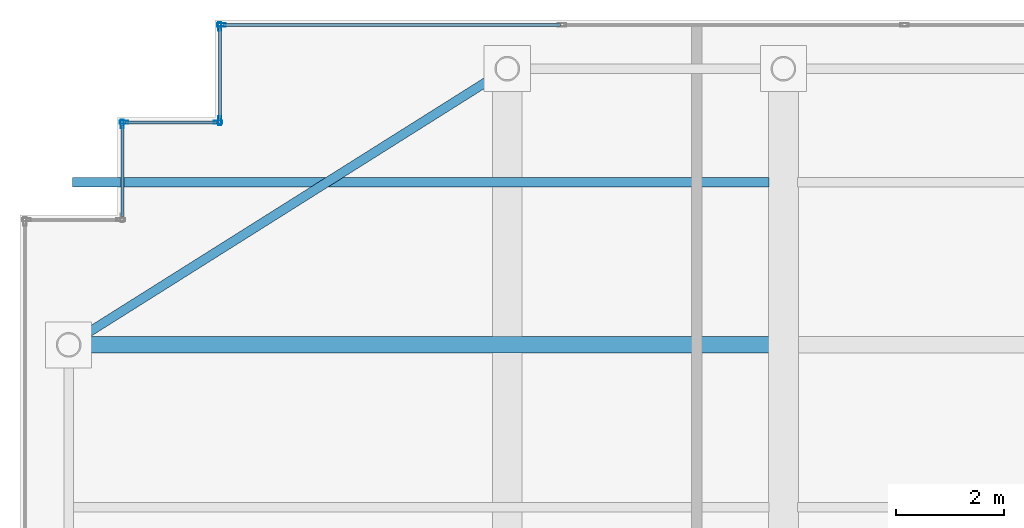
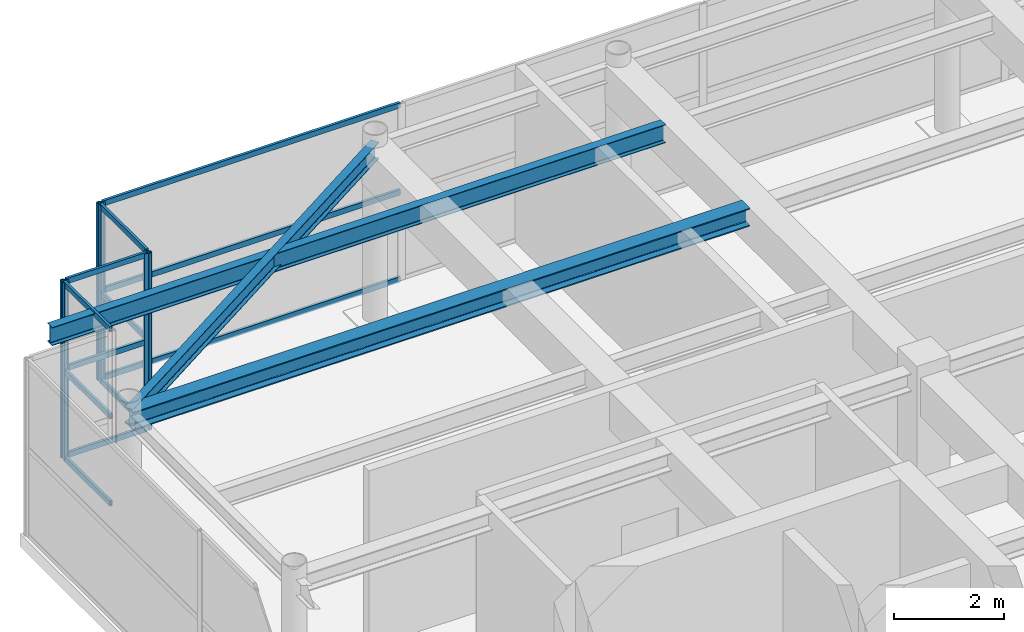
# One storey, part 21 of 32: 18 members, 3 beams, 4 elements without a shape of their own.
"""IFC4 building model written with IfcOpenShell, lengths in metres."""

from ifc_helpers import new_model, si_unit, direction, frame, origin, origin_2d, place, context, subcontext, project, spatial, hollow_rectangle, i_section, extrude, source, transform, mapped, material, layer, layer_set, material_profile, profile_set, type_object, element, aggregate, save


model = new_model("IFC4")

# Units and contexts
model_context = context("Model", 3, precision=1e-05, world=origin(), true_north=direction((0.0, 1.0)))
body_context = subcontext(model_context, "Body", "Model", "MODEL_VIEW")
ifc_project = project(units=[si_unit("LENGTHUNIT", "METRE"), si_unit("AREAUNIT", "SQUARE_METRE"), si_unit("VOLUMEUNIT", "CUBIC_METRE"), si_unit("PLANEANGLEUNIT", "RADIAN"), si_unit("MASSUNIT", "GRAM", prefix="KILO")], contexts=[model_context])

# Site, building, storey
site_placement = place(None, origin())
site = spatial("IfcSite", under=ifc_project, at=site_placement, CompositionType="ELEMENT")
building_placement = place(site_placement, origin())
building = spatial("IfcBuilding", under=site, at=building_placement, Name="Khoralis Quay Care Tower", CompositionType="ELEMENT")
storey_placement = place(building_placement, frame((0.0, 0.0, 293.699951171875)))
storey = spatial("IfcBuildingStorey", under=building, at=storey_placement, Name="L77", CompositionType="ELEMENT", Elevation=293.699951171875)

# Beams
ifc_material_1 = material(Name="Steel S355", Category="steel")
ifc_material_profile_1 = material_profile(ifc_material_1, i_section(OverallWidth=0.169921875, OverallDepth=0.360107421875, WebThickness=0.008056640625, FlangeThickness=0.0126953125, FilletRadius=0.01806640625, at=origin_2d()), Name="Steel S355")
ifc_profile_set_1 = profile_set([ifc_material_profile_1], Name="Steel S355")
beam_type_1 = type_object("IfcBeamType", Name="BM-IPE360", PredefinedType="SPANDREL", material=ifc_profile_set_1)
shared_shape_1 = source(origin(), body_context, "Body", "SweptSolid", [
    extrude(i_section(OverallWidth=0.169921875, OverallDepth=0.360107421875, WebThickness=0.008056640625, FlangeThickness=0.0126953125, FilletRadius=0.01806640625, at=origin_2d()), origin(), (0.0, 0.0, 1.0), 9.572021484375),
])
beam_1_placement = place(storey_placement, frame((12.0, 41.10009765625, 3.739990234375), z_axis=(-0.846231136359, -0.532815975602, 0.0), x_axis=(0.532815975602, -0.846231136359, 0.0)))
element("IfcBeam", 1, at=beam_1_placement, inside=storey, type_object=beam_type_1, Name="BM-TCR-L77-19", PredefinedType="SPANDREL", context=body_context, shape_type="MappedRepresentation", body=[
    mapped(shared_shape_1, transform((0.0, 0.0, 0.0), scale=1.0)),
])
ifc_material_profile_2 = material_profile(ifc_material_1, i_section(OverallWidth=0.300048828125, OverallDepth=0.39990234375, WebThickness=0.013427734375, FlangeThickness=0.02392578125, FilletRadius=0.027099609375, at=origin_2d()), Name="Steel S355")
ifc_profile_set_2 = profile_set([ifc_material_profile_2], Name="Steel S355")
beam_type_2 = type_object("IfcBeamType", Name="BM-HEB400", PredefinedType="BEAM", material=ifc_profile_set_2)
shared_shape_2 = source(origin(), body_context, "Body", "SweptSolid", [
    extrude(i_section(OverallWidth=0.300048828125, OverallDepth=0.39990234375, WebThickness=0.013427734375, FlangeThickness=0.02392578125, FilletRadius=0.027099609375, at=origin_2d()), origin(), (0.0, 0.0, 1.0), 12.93701171875),
])
beam_2_placement = place(storey_placement, frame((3.89990234375, 36.0, 3.719970703125), z_axis=(1.0, 0.0, 0.0), x_axis=(0.0, 1.0, 0.0)))
element("IfcBeam", 2, at=beam_2_placement, inside=storey, type_object=beam_type_2, Name="BM-TGXW-L77-360", PredefinedType="BEAM", context=body_context, shape_type="MappedRepresentation", body=[
    mapped(shared_shape_2, transform((0.0, 0.0, 0.0), scale=1.0)),
])
ifc_material_profile_3 = material_profile(ifc_material_1, i_section(OverallWidth=0.177978515625, OverallDepth=0.406982421875, WebThickness=0.0078125, FlangeThickness=0.0126953125, FilletRadius=0.012939453125, at=origin_2d()), Name="Steel S355")
ifc_profile_set_3 = profile_set([ifc_material_profile_3], Name="Steel S355")
beam_type_3 = type_object("IfcBeamType", Name="BM-W410X60", PredefinedType="JOIST", material=ifc_profile_set_3)
shared_shape_3 = source(origin(), body_context, "Body", "SweptSolid", [
    extrude(i_section(OverallWidth=0.177978515625, OverallDepth=0.406982421875, WebThickness=0.0078125, FlangeThickness=0.0126953125, FilletRadius=0.012939453125, at=origin_2d()), origin(), (0.0, 0.0, 1.0), 12.865966796875),
])
beam_3_placement = place(storey_placement, frame((3.970947265625, 39.0, 3.716552734375), z_axis=(1.0, 0.0, 0.0), x_axis=(0.0, 1.0, 0.0)))
element("IfcBeam", 3, at=beam_3_placement, inside=storey, type_object=beam_type_3, Name="BM-TJS-L77-27", PredefinedType="JOIST", context=body_context, shape_type="MappedRepresentation", body=[
    mapped(shared_shape_3, transform((0.0, 0.0, 0.0), scale=1.0)),
])

# Curtain wall, member
ifc_material_2 = material(Name="Pale anodised aluminium", Category="aluminium")
ifc_layer = layer(ifc_material_2, 0.199951171875)
ifc_layer_set = layer_set([ifc_layer], Name="Pale anodised aluminium")
curtain_wall_type = type_object("IfcCurtainWallType", Name="CW-SYS-LANTERN", PredefinedType="NOTDEFINED", material=ifc_layer_set)
curtain_wall_1_placement = place(storey_placement, origin())
curtain_wall_1 = element("IfcCurtainWall", 4, at=curtain_wall_1_placement, inside=storey, type_object=curtain_wall_type, Name="L77 Unitised Curtain Wall CW-LN-L77-11", PredefinedType="NOTDEFINED")
ifc_material_profile_4 = material_profile(ifc_material_2, hollow_rectangle(XDim=0.06005859375, YDim=0.159912109375, WallThickness=0.00390625, at=origin_2d()), Name="Pale anodised aluminium")
ifc_profile_set_4 = profile_set([ifc_material_profile_4], Name="Pale anodised aluminium")
member_type_1 = type_object("IfcMemberType", Name="CW-MUL-160", PredefinedType="MULLION", material=ifc_profile_set_4)
shared_shape_4 = source(origin(), body_context, "Body", "SweptSolid", [
    extrude(hollow_rectangle(XDim=0.06005859375, YDim=0.159912109375, WallThickness=0.00390625, at=origin_2d()), origin(), (0.0, 0.0, 1.0), 3.920166015625),
])
member_1_placement = place(storey_placement, frame((6.719970703125, 41.909912109375, 0.0), z_axis=(0.0, 0.0, 1.0), x_axis=(0.0, -1.0, 0.0)))
member_1 = element("IfcMember", 5, at=member_1_placement, type_object=member_type_1, Name="CW5 mullion 6", PredefinedType="MULLION", context=body_context, shape_type="MappedRepresentation", body=[
    mapped(shared_shape_4, transform((0.0, 0.0, 0.0), scale=1.0)),
])

# Curtain wall, members
curtain_wall_2_placement = place(storey_placement, origin())
curtain_wall_2 = element("IfcCurtainWall", 6, at=curtain_wall_2_placement, inside=storey, type_object=curtain_wall_type, Name="L77 Unitised Curtain Wall CW-LN-L77-12", PredefinedType="NOTDEFINED")
member_2_placement = place(storey_placement, frame((6.68994140625, 41.8798828125, 0.0), z_axis=(0.0, 0.0, 1.0), x_axis=(1.0, 0.0, 0.0)))
member_2 = element("IfcMember", 7, at=member_2_placement, type_object=member_type_1, Name="CW5 mullion 1", PredefinedType="MULLION", context=body_context, shape_type="MappedRepresentation", body=[
    mapped(shared_shape_4, transform((0.0, 0.0, 0.0), scale=1.0)),
])
member_3_placement = place(storey_placement, frame((6.68994140625, 40.139892578125, 0.0), z_axis=(0.0, 0.0, 1.0), x_axis=(1.0, 0.0, 0.0)))
member_3 = element("IfcMember", 8, at=member_3_placement, type_object=member_type_1, Name="CW5 mullion 2", PredefinedType="MULLION", context=body_context, shape_type="MappedRepresentation", body=[
    mapped(shared_shape_4, transform((0.0, 0.0, 0.0), scale=1.0)),
])

curtain_wall_3_placement = place(storey_placement, origin())
curtain_wall_3 = element("IfcCurtainWall", 9, at=curtain_wall_3_placement, inside=storey, type_object=curtain_wall_type, Name="L77 Unitised Curtain Wall CW-LN-L77-13", PredefinedType="NOTDEFINED")
member_4_placement = place(storey_placement, frame((6.659912109375, 40.110107421875, 0.0), z_axis=(0.0, 0.0, 1.0), x_axis=(0.0, -1.0, 0.0)))
member_4 = element("IfcMember", 10, at=member_4_placement, type_object=member_type_1, Name="CW5 mullion 1", PredefinedType="MULLION", context=body_context, shape_type="MappedRepresentation", body=[
    mapped(shared_shape_4, transform((0.0, 0.0, 0.0), scale=1.0)),
])
member_5_placement = place(storey_placement, frame((4.919921875, 40.110107421875, 0.0), z_axis=(0.0, 0.0, 1.0), x_axis=(0.0, -1.0, 0.0)))
member_5 = element("IfcMember", 11, at=member_5_placement, type_object=member_type_1, Name="CW5 mullion 2", PredefinedType="MULLION", context=body_context, shape_type="MappedRepresentation", body=[
    mapped(shared_shape_4, transform((0.0, 0.0, 0.0), scale=1.0)),
])

# Curtain wall, member
curtain_wall_4_placement = place(storey_placement, origin())
curtain_wall_4 = element("IfcCurtainWall", 12, at=curtain_wall_4_placement, inside=storey, type_object=curtain_wall_type, Name="L77 Unitised Curtain Wall CW-LN-L77-14", PredefinedType="NOTDEFINED")
member_6_placement = place(storey_placement, frame((4.889892578125, 40.080078125, 0.0), z_axis=(0.0, 0.0, 1.0), x_axis=(1.0, 0.0, 0.0)))
member_6 = element("IfcMember", 13, at=member_6_placement, type_object=member_type_1, Name="CW5 mullion 1", PredefinedType="MULLION", context=body_context, shape_type="MappedRepresentation", body=[
    mapped(shared_shape_4, transform((0.0, 0.0, 0.0), scale=1.0)),
])

# Member
ifc_material_profile_5 = material_profile(ifc_material_2, hollow_rectangle(XDim=0.054931640625, YDim=0.1201171875, WallThickness=0.00390625, at=origin_2d()), Name="Pale anodised aluminium")
ifc_profile_set_5 = profile_set([ifc_material_profile_5], Name="Pale anodised aluminium")
member_type_2 = type_object("IfcMemberType", Name="CW-TRN-120", PredefinedType="USERDEFINED", material=ifc_profile_set_5)
shared_shape_5 = source(origin(), body_context, "Body", "SweptSolid", [
    extrude(hollow_rectangle(XDim=0.054931640625, YDim=0.1201171875, WallThickness=0.00390625, at=origin_2d()), origin(), (0.0, 0.0, 1.0), 6.23388671875),
])
member_7_placement = place(storey_placement, frame((12.98388671875, 41.909912109375, 0.030029296875), z_axis=(-1.0, 0.0, 0.0), x_axis=(0.0, -1.0, 0.0)))
member_7 = element("IfcMember", 14, at=member_7_placement, type_object=member_type_2, Name="CW5 transom 5.1", ObjectType="TRANSOM", PredefinedType="USERDEFINED", context=body_context, shape_type="MappedRepresentation", body=[
    mapped(shared_shape_5, transform((0.0, 0.0, 0.0), scale=1.0)),
])

member_8_placement = place(storey_placement, frame((12.98388671875, 41.909912109375, 1.9599609375), z_axis=(-1.0, 0.0, 0.0), x_axis=(0.0, -1.0, 0.0)))
member_8 = element("IfcMember", 15, at=member_8_placement, type_object=member_type_2, Name="CW5 transom 5.2", ObjectType="TRANSOM", PredefinedType="USERDEFINED", context=body_context, shape_type="MappedRepresentation", body=[
    mapped(shared_shape_5, transform((0.0, 0.0, 0.0), scale=1.0)),
])

member_9_placement = place(storey_placement, frame((12.98388671875, 41.909912109375, 3.89013671875), z_axis=(-1.0, 0.0, 0.0), x_axis=(0.0, -1.0, 0.0)))
member_9 = element("IfcMember", 16, at=member_9_placement, type_object=member_type_2, Name="CW5 transom 5.3", ObjectType="TRANSOM", PredefinedType="USERDEFINED", context=body_context, shape_type="MappedRepresentation", body=[
    mapped(shared_shape_5, transform((0.0, 0.0, 0.0), scale=1.0)),
])

aggregate(curtain_wall_1, [member_1, member_7, member_8, member_9])

shared_shape_6 = source(origin(), body_context, "Body", "SweptSolid", [
    extrude(hollow_rectangle(XDim=0.054931640625, YDim=0.1201171875, WallThickness=0.00390625, at=origin_2d()), origin(), (0.0, 0.0, 1.0), 1.68017578125),
])
member_10_placement = place(storey_placement, frame((6.68994140625, 41.85009765625, 0.030029296875), z_axis=(0.0, -1.0, 0.0), x_axis=(1.0, 0.0, 0.0)))
member_10 = element("IfcMember", 17, at=member_10_placement, type_object=member_type_2, Name="CW5 transom 1.1", ObjectType="TRANSOM", PredefinedType="USERDEFINED", context=body_context, shape_type="MappedRepresentation", body=[
    mapped(shared_shape_6, transform((0.0, 0.0, 0.0), scale=1.0)),
])

member_11_placement = place(storey_placement, frame((6.68994140625, 41.85009765625, 1.9599609375), z_axis=(0.0, -1.0, 0.0), x_axis=(1.0, 0.0, 0.0)))
member_11 = element("IfcMember", 18, at=member_11_placement, type_object=member_type_2, Name="CW5 transom 1.2", ObjectType="TRANSOM", PredefinedType="USERDEFINED", context=body_context, shape_type="MappedRepresentation", body=[
    mapped(shared_shape_6, transform((0.0, 0.0, 0.0), scale=1.0)),
])

member_12_placement = place(storey_placement, frame((6.68994140625, 41.85009765625, 3.89013671875), z_axis=(0.0, -1.0, 0.0), x_axis=(1.0, 0.0, 0.0)))
member_12 = element("IfcMember", 19, at=member_12_placement, type_object=member_type_2, Name="CW5 transom 1.3", ObjectType="TRANSOM", PredefinedType="USERDEFINED", context=body_context, shape_type="MappedRepresentation", body=[
    mapped(shared_shape_6, transform((0.0, 0.0, 0.0), scale=1.0)),
])

aggregate(curtain_wall_2, [member_2, member_3, member_10, member_11, member_12])

shared_shape_7 = source(origin(), body_context, "Body", "SweptSolid", [
    extrude(hollow_rectangle(XDim=0.054931640625, YDim=0.1201171875, WallThickness=0.00390625, at=origin_2d()), origin(), (0.0, 0.0, 1.0), 1.679931640625),
])
member_13_placement = place(storey_placement, frame((6.6298828125, 40.110107421875, 0.030029296875), z_axis=(-1.0, 0.0, 0.0), x_axis=(0.0, -1.0, 0.0)))
member_13 = element("IfcMember", 20, at=member_13_placement, type_object=member_type_2, Name="CW5 transom 1.1", ObjectType="TRANSOM", PredefinedType="USERDEFINED", context=body_context, shape_type="MappedRepresentation", body=[
    mapped(shared_shape_7, transform((0.0, 0.0, 0.0), scale=1.0)),
])

member_14_placement = place(storey_placement, frame((6.6298828125, 40.110107421875, 1.9599609375), z_axis=(-1.0, 0.0, 0.0), x_axis=(0.0, -1.0, 0.0)))
member_14 = element("IfcMember", 21, at=member_14_placement, type_object=member_type_2, Name="CW5 transom 1.2", ObjectType="TRANSOM", PredefinedType="USERDEFINED", context=body_context, shape_type="MappedRepresentation", body=[
    mapped(shared_shape_7, transform((0.0, 0.0, 0.0), scale=1.0)),
])

member_15_placement = place(storey_placement, frame((6.6298828125, 40.110107421875, 3.89013671875), z_axis=(-1.0, 0.0, 0.0), x_axis=(0.0, -1.0, 0.0)))
member_15 = element("IfcMember", 22, at=member_15_placement, type_object=member_type_2, Name="CW5 transom 1.3", ObjectType="TRANSOM", PredefinedType="USERDEFINED", context=body_context, shape_type="MappedRepresentation", body=[
    mapped(shared_shape_7, transform((0.0, 0.0, 0.0), scale=1.0)),
])

aggregate(curtain_wall_3, [member_4, member_5, member_13, member_14, member_15])

member_16_placement = place(storey_placement, frame((4.889892578125, 40.050048828125, 0.030029296875), z_axis=(0.0, -1.0, 0.0), x_axis=(1.0, 0.0, 0.0)))
member_16 = element("IfcMember", 23, at=member_16_placement, type_object=member_type_2, Name="CW5 transom 1.1", ObjectType="TRANSOM", PredefinedType="USERDEFINED", context=body_context, shape_type="MappedRepresentation", body=[
    mapped(shared_shape_7, transform((0.0, 0.0, 0.0), scale=1.0)),
])

member_17_placement = place(storey_placement, frame((4.889892578125, 40.050048828125, 1.9599609375), z_axis=(0.0, -1.0, 0.0), x_axis=(1.0, 0.0, 0.0)))
member_17 = element("IfcMember", 24, at=member_17_placement, type_object=member_type_2, Name="CW5 transom 1.2", ObjectType="TRANSOM", PredefinedType="USERDEFINED", context=body_context, shape_type="MappedRepresentation", body=[
    mapped(shared_shape_7, transform((0.0, 0.0, 0.0), scale=1.0)),
])

member_18_placement = place(storey_placement, frame((4.889892578125, 40.050048828125, 3.89013671875), z_axis=(0.0, -1.0, 0.0), x_axis=(1.0, 0.0, 0.0)))
member_18 = element("IfcMember", 25, at=member_18_placement, type_object=member_type_2, Name="CW5 transom 1.3", ObjectType="TRANSOM", PredefinedType="USERDEFINED", context=body_context, shape_type="MappedRepresentation", body=[
    mapped(shared_shape_7, transform((0.0, 0.0, 0.0), scale=1.0)),
])

aggregate(curtain_wall_4, [member_6, member_16, member_17, member_18])

save(model, "model.ifc")
